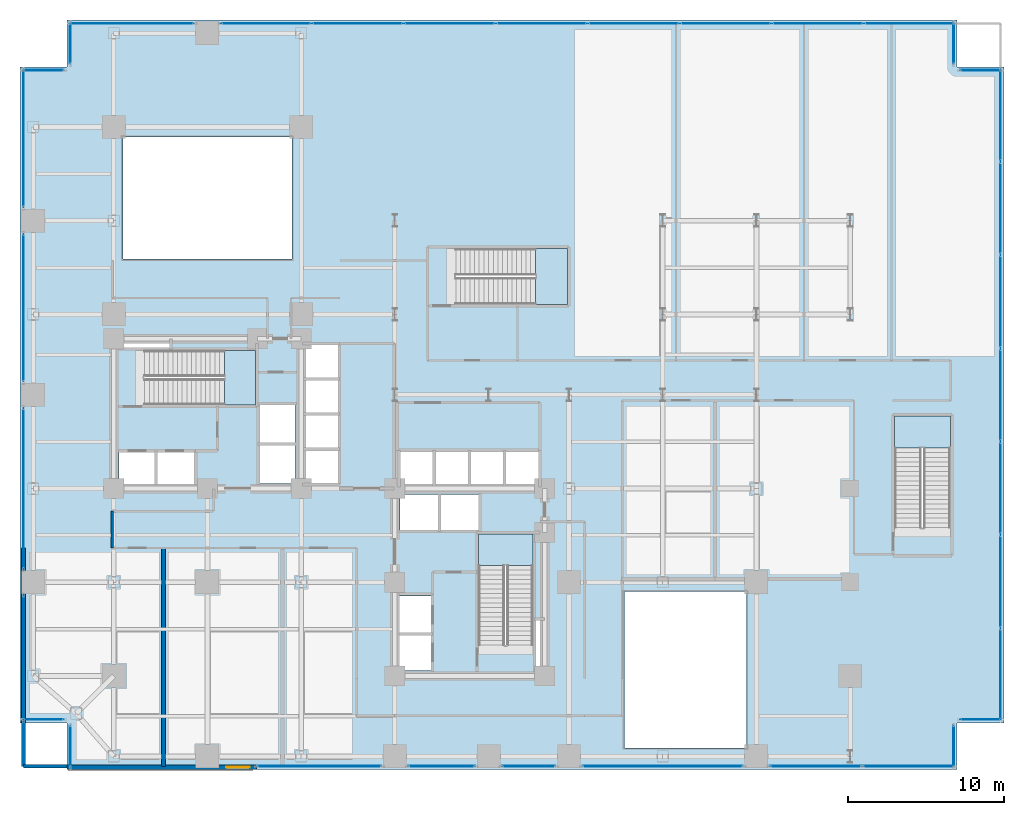
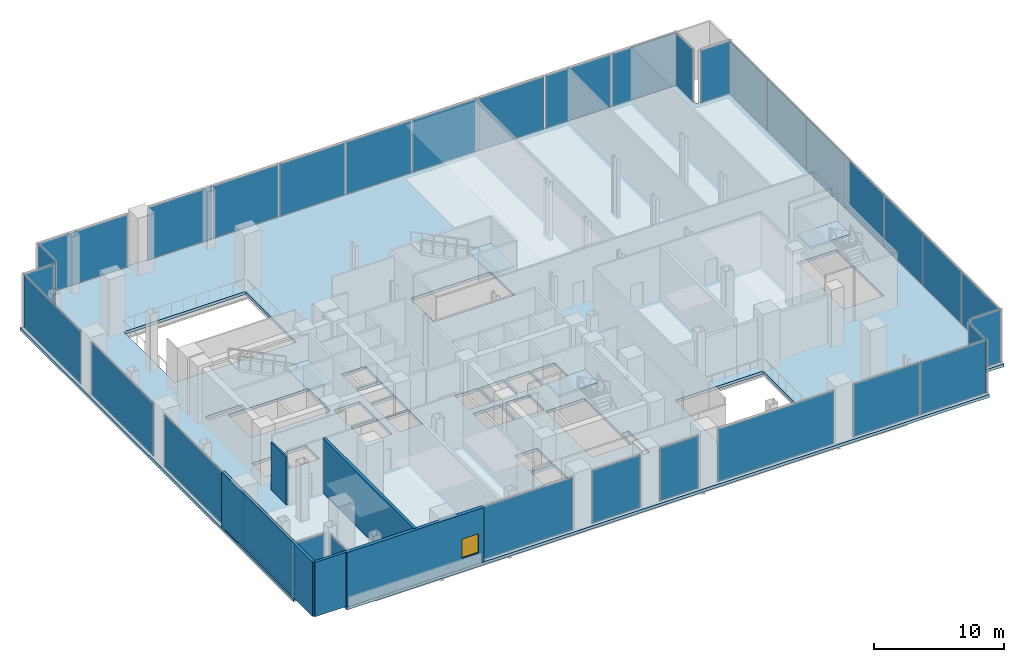
# One storey, part 20 of 28: 34 plates, 5 slabs, 5 walls, 1 window, 1 opening, 24 elements without a shape of their own.
"""IFC4 building model written with IfcOpenShell, lengths in metres."""

from ifc_helpers import new_model, si_unit, direction, frame, frame_2d, origin, origin_2d, place, context, subcontext, project, spatial, polyline, rectangle, outline, extrude, material, layer, layer_set, type_object, element, fill, aggregate, save


model = new_model("IFC4")

# Units and contexts
model_context = context("Model", 3, precision=1e-05, world=origin(), true_north=direction((0.0, 1.0)))
body_context = subcontext(model_context, "Body", "Model", "MODEL_VIEW")
ifc_project = project(units=[si_unit("LENGTHUNIT", "METRE"), si_unit("AREAUNIT", "SQUARE_METRE"), si_unit("VOLUMEUNIT", "CUBIC_METRE"), si_unit("PLANEANGLEUNIT", "RADIAN"), si_unit("MASSUNIT", "GRAM", prefix="KILO"), si_unit("THERMODYNAMICTEMPERATUREUNIT", "KELVIN"), si_unit("POWERUNIT", "WATT")], contexts=[model_context])

# Site, building, storey
site_placement = place(None, origin())
site = spatial("IfcSite", under=ifc_project, at=site_placement, CompositionType="ELEMENT")
building_placement = place(site_placement, origin())
building = spatial("IfcBuilding", under=site, at=building_placement, Name="Svarakhadi Broadcast Tower", CompositionType="ELEMENT")
storey_placement = place(building_placement, frame((0.0, 0.0, 11.10009765625)))
storey = spatial("IfcBuildingStorey", under=building, at=storey_placement, Name="L02", CompositionType="ELEMENT", Elevation=11.10009765625)

# Curtain wall, plate
ifc_material_1 = material(Name="Anodised Bronze Aluminium AA 6063-T6", Category="aluminium")
ifc_layer_1 = layer(ifc_material_1, 0.25)
ifc_layer_set_1 = layer_set([ifc_layer_1], Name="Anodised Bronze Aluminium AA 6063-T6")
curtain_wall_type = type_object("IfcCurtainWallType", Name="CW_Sys_01", PredefinedType="NOTDEFINED", material=ifc_layer_set_1)
curtain_wall_1_placement = place(storey_placement, origin())
curtain_wall_1 = element("IfcCurtainWall", 1, at=curtain_wall_1_placement, inside=storey, type_object=curtain_wall_type, Name="L02 Unitised Facade Curtain Wall 01", PredefinedType="NOTDEFINED")
ifc_material_2 = material(Name="Double Low-E Laminated Acoustic Glass IGU 36 mm", Category="glass")
ifc_layer_2 = layer(ifc_material_2, 0.0380859375)
ifc_layer_set_2 = layer_set([ifc_layer_2], Name="Double Low-E Laminated Acoustic Glass IGU 36 mm")
plate_type = type_object("IfcPlateType", Name="CW_Sys_01_Pnl", PredefinedType="CURTAIN_PANEL", material=ifc_layer_set_2)
plate_1_placement = place(storey_placement, frame((1.5, 3.219970703125, 0.0849609375), z_axis=(0.0, 0.0, 1.0), x_axis=(-1.0, 0.0, 0.0)))
plate_1 = element("IfcPlate", 2, at=plate_1_placement, type_object=plate_type, Name="CW-01 panel 1.1", PredefinedType="CURTAIN_PANEL", context=body_context, shape_type="SweptSolid", body=[
    extrude(rectangle(XDim=2.6298828125, YDim=0.0380859375, at=origin_2d()), origin(), (0.0, 0.0, 1.0), 4.929931640625),
])
aggregate(curtain_wall_1, [plate_1])

curtain_wall_2_placement = place(storey_placement, origin())
curtain_wall_2 = element("IfcCurtainWall", 3, at=curtain_wall_2_placement, inside=storey, type_object=curtain_wall_type, Name="L02 Unitised Facade Curtain Wall 02 Bay 1", PredefinedType="NOTDEFINED")
plate_2_placement = place(storey_placement, frame((0.219970703125, 7.159912109375, 0.0849609375), z_axis=(0.0, 0.0, 1.0), x_axis=(0.0, 1.0, 0.0)))
plate_2 = element("IfcPlate", 4, at=plate_2_placement, type_object=plate_type, Name="CW-01 panel 1.1", PredefinedType="CURTAIN_PANEL", context=body_context, shape_type="SweptSolid", body=[
    extrude(rectangle(XDim=7.949951171875, YDim=0.0380859375, at=origin_2d()), origin(), (0.0, 0.0, 1.0), 4.929931640625),
])
aggregate(curtain_wall_2, [plate_2])

curtain_wall_3_placement = place(storey_placement, origin())
curtain_wall_3 = element("IfcCurtainWall", 5, at=curtain_wall_3_placement, inside=storey, type_object=curtain_wall_type, Name="L02 Unitised Facade Curtain Wall 02 Bay 2", PredefinedType="NOTDEFINED")
plate_3_placement = place(storey_placement, frame((0.219970703125, 18.0, 0.0849609375), z_axis=(0.0, 0.0, 1.0), x_axis=(0.0, 1.0, 0.0)))
plate_3 = element("IfcPlate", 6, at=plate_3_placement, type_object=plate_type, Name="CW-01 panel 1.1", PredefinedType="CURTAIN_PANEL", context=body_context, shape_type="SweptSolid", body=[
    extrude(rectangle(XDim=10.27001953125, YDim=0.0380859375, at=origin_2d()), origin(), (0.0, 0.0, 1.0), 4.929931640625),
])
aggregate(curtain_wall_3, [plate_3])

curtain_wall_4_placement = place(storey_placement, origin())
curtain_wall_4 = element("IfcCurtainWall", 7, at=curtain_wall_4_placement, inside=storey, type_object=curtain_wall_type, Name="L02 Unitised Facade Curtain Wall 02 Bay 3", PredefinedType="NOTDEFINED")
plate_4_placement = place(storey_placement, frame((0.219970703125, 29.574951171875, 0.0849609375), z_axis=(0.0, 0.0, 1.0), x_axis=(0.0, 1.0, 0.0)))
plate_4 = element("IfcPlate", 8, at=plate_4_placement, type_object=plate_type, Name="CW-01 panel 1.1", PredefinedType="CURTAIN_PANEL", context=body_context, shape_type="SweptSolid", body=[
    extrude(rectangle(XDim=9.419921875, YDim=0.0380859375, at=origin_2d()), origin(), (0.0, 0.0, 1.0), 4.929931640625),
])
aggregate(curtain_wall_4, [plate_4])

curtain_wall_5_placement = place(storey_placement, origin())
curtain_wall_5 = element("IfcCurtainWall", 9, at=curtain_wall_5_placement, inside=storey, type_object=curtain_wall_type, Name="L02 Unitised Facade Curtain Wall 02 Bay 4", PredefinedType="NOTDEFINED")
plate_5_placement = place(storey_placement, frame((0.219970703125, 40.4150390625, 0.0849609375), z_axis=(0.0, 0.0, 1.0), x_axis=(0.0, 1.0, 0.0)))
plate_5 = element("IfcPlate", 10, at=plate_5_placement, type_object=plate_type, Name="CW-01 panel 1.1", PredefinedType="CURTAIN_PANEL", context=body_context, shape_type="SweptSolid", body=[
    extrude(rectangle(XDim=8.800048828125, YDim=0.0380859375, at=origin_2d()), origin(), (0.0, 0.0, 1.0), 4.929931640625),
])
aggregate(curtain_wall_5, [plate_5])

curtain_wall_6_placement = place(storey_placement, origin())
curtain_wall_6 = element("IfcCurtainWall", 11, at=curtain_wall_6_placement, inside=storey, type_object=curtain_wall_type, Name="L02 Unitised Facade Curtain Wall 03", PredefinedType="NOTDEFINED")
plate_6_placement = place(storey_placement, frame((1.5, 44.780029296875, 0.0849609375), z_axis=(0.0, 0.0, 1.0), x_axis=(1.0, 0.0, 0.0)))
plate_6 = element("IfcPlate", 12, at=plate_6_placement, type_object=plate_type, Name="CW-01 panel 1.1", PredefinedType="CURTAIN_PANEL", context=body_context, shape_type="SweptSolid", body=[
    extrude(rectangle(XDim=2.6298828125, YDim=0.0380859375, at=origin_2d()), origin(), (0.0, 0.0, 1.0), 4.929931640625),
])
aggregate(curtain_wall_6, [plate_6])

curtain_wall_7_placement = place(storey_placement, origin())
curtain_wall_7 = element("IfcCurtainWall", 13, at=curtain_wall_7_placement, inside=storey, type_object=curtain_wall_type, Name="L02 Unitised Facade Curtain Wall 04", PredefinedType="NOTDEFINED")
plate_7_placement = place(storey_placement, frame((3.219970703125, 46.5, 0.0849609375), z_axis=(0.0, 0.0, 1.0), x_axis=(0.0, 1.0, 0.0)))
plate_7 = element("IfcPlate", 14, at=plate_7_placement, type_object=plate_type, Name="CW-01 panel 1.1", PredefinedType="CURTAIN_PANEL", context=body_context, shape_type="SweptSolid", body=[
    extrude(rectangle(XDim=2.6298828125, YDim=0.0380859375, at=origin_2d()), origin(), (0.0, 0.0, 1.0), 4.929931640625),
])
aggregate(curtain_wall_7, [plate_7])

curtain_wall_8_placement = place(storey_placement, origin())
curtain_wall_8 = element("IfcCurtainWall", 15, at=curtain_wall_8_placement, inside=storey, type_object=curtain_wall_type, Name="L02 Unitised Facade Curtain Wall 05 Bay 1", PredefinedType="NOTDEFINED")
plate_8_placement = place(storey_placement, frame((7.159912109375, 47.780029296875, 0.0849609375), z_axis=(0.0, 0.0, 1.0), x_axis=(1.0, 0.0, 0.0)))
plate_8 = element("IfcPlate", 16, at=plate_8_placement, type_object=plate_type, Name="CW-01 panel 1.1", PredefinedType="CURTAIN_PANEL", context=body_context, shape_type="SweptSolid", body=[
    extrude(rectangle(XDim=7.949951171875, YDim=0.0380859375, at=origin_2d()), origin(), (0.0, 0.0, 1.0), 4.929931640625),
])
aggregate(curtain_wall_8, [plate_8])

# Curtain wall, plates
curtain_wall_9_placement = place(storey_placement, origin())
curtain_wall_9 = element("IfcCurtainWall", 17, at=curtain_wall_9_placement, inside=storey, type_object=curtain_wall_type, Name="L02 Unitised Facade Curtain Wall 05 Bay 2", PredefinedType="NOTDEFINED")
plate_9_placement = place(storey_placement, frame((15.739990234375, 47.780029296875, 0.0849609375), z_axis=(0.0, 0.0, 1.0), x_axis=(1.0, 0.0, 0.0)))
plate_9 = element("IfcPlate", 18, at=plate_9_placement, type_object=plate_type, Name="CW-01 panel 1.1", PredefinedType="CURTAIN_PANEL", context=body_context, shape_type="SweptSolid", body=[
    extrude(rectangle(XDim=5.75, YDim=0.0380859375, at=origin_2d()), origin(), (0.0, 0.0, 1.0), 4.929931640625),
])
plate_10_placement = place(storey_placement, frame((21.608642578125, 47.780029296875, 0.0849609375), z_axis=(0.0, 0.0, 1.0), x_axis=(1.0, 0.0, 0.0)))
plate_10 = element("IfcPlate", 19, at=plate_10_placement, type_object=plate_type, Name="CW-01 panel 2.1", PredefinedType="CURTAIN_PANEL", context=body_context, shape_type="SweptSolid", body=[
    extrude(rectangle(XDim=5.797607421875, YDim=0.0380859375, at=origin_2d()), origin(), (0.0, 0.0, 1.0), 4.929931640625),
])
plate_11_placement = place(storey_placement, frame((27.501220703125, 47.780029296875, 0.0849609375), z_axis=(0.0, 0.0, 1.0), x_axis=(1.0, 0.0, 0.0)))
plate_11 = element("IfcPlate", 20, at=plate_11_placement, type_object=plate_type, Name="CW-01 panel 3.1", PredefinedType="CURTAIN_PANEL", context=body_context, shape_type="SweptSolid", body=[
    extrude(rectangle(XDim=5.797607421875, YDim=0.0380859375, at=origin_2d()), origin(), (0.0, 0.0, 1.0), 4.929931640625),
])
plate_12_placement = place(storey_placement, frame((33.393798828125, 47.780029296875, 0.0849609375), z_axis=(0.0, 0.0, 1.0), x_axis=(1.0, 0.0, 0.0)))
plate_12 = element("IfcPlate", 21, at=plate_12_placement, type_object=plate_type, Name="CW-01 panel 4.1", PredefinedType="CURTAIN_PANEL", context=body_context, shape_type="SweptSolid", body=[
    extrude(rectangle(XDim=5.797607421875, YDim=0.0380859375, at=origin_2d()), origin(), (0.0, 0.0, 1.0), 4.929931640625),
])
plate_13_placement = place(storey_placement, frame((39.2861328125, 47.780029296875, 0.0849609375), z_axis=(0.0, 0.0, 1.0), x_axis=(1.0, 0.0, 0.0)))
plate_13 = element("IfcPlate", 22, at=plate_13_placement, type_object=plate_type, Name="CW-01 panel 5.1", PredefinedType="CURTAIN_PANEL", context=body_context, shape_type="SweptSolid", body=[
    extrude(rectangle(XDim=5.797607421875, YDim=0.0380859375, at=origin_2d()), origin(), (0.0, 0.0, 1.0), 4.929931640625),
])
plate_14_placement = place(storey_placement, frame((45.1787109375, 47.780029296875, 0.0849609375), z_axis=(0.0, 0.0, 1.0), x_axis=(1.0, 0.0, 0.0)))
plate_14 = element("IfcPlate", 23, at=plate_14_placement, type_object=plate_type, Name="CW-01 panel 6.1", PredefinedType="CURTAIN_PANEL", context=body_context, shape_type="SweptSolid", body=[
    extrude(rectangle(XDim=5.797607421875, YDim=0.0380859375, at=origin_2d()), origin(), (0.0, 0.0, 1.0), 4.929931640625),
])
plate_15_placement = place(storey_placement, frame((51.0712890625, 47.780029296875, 0.0849609375), z_axis=(0.0, 0.0, 1.0), x_axis=(1.0, 0.0, 0.0)))
plate_15 = element("IfcPlate", 24, at=plate_15_placement, type_object=plate_type, Name="CW-01 panel 7.1", PredefinedType="CURTAIN_PANEL", context=body_context, shape_type="SweptSolid", body=[
    extrude(rectangle(XDim=5.797607421875, YDim=0.0380859375, at=origin_2d()), origin(), (0.0, 0.0, 1.0), 4.929931640625),
])
plate_16_placement = place(storey_placement, frame((56.93994140625, 47.780029296875, 0.0849609375), z_axis=(0.0, 0.0, 1.0), x_axis=(1.0, 0.0, 0.0)))
plate_16 = element("IfcPlate", 25, at=plate_16_placement, type_object=plate_type, Name="CW-01 panel 8.1", PredefinedType="CURTAIN_PANEL", context=body_context, shape_type="SweptSolid", body=[
    extrude(rectangle(XDim=5.75, YDim=0.0380859375, at=origin_2d()), origin(), (0.0, 0.0, 1.0), 4.929931640625),
])
aggregate(curtain_wall_9, [plate_9, plate_10, plate_11, plate_12, plate_13, plate_14, plate_15, plate_16])

# Curtain wall, plate
curtain_wall_10_placement = place(storey_placement, origin())
curtain_wall_10 = element("IfcCurtainWall", 26, at=curtain_wall_10_placement, inside=storey, type_object=curtain_wall_type, Name="L02 Unitised Facade Curtain Wall 06", PredefinedType="NOTDEFINED")
plate_17_placement = place(storey_placement, frame((59.780029296875, 46.5, 0.0849609375), z_axis=(0.0, 0.0, 1.0), x_axis=(0.0, -1.0, 0.0)))
plate_17 = element("IfcPlate", 27, at=plate_17_placement, type_object=plate_type, Name="CW-01 panel 1.1", PredefinedType="CURTAIN_PANEL", context=body_context, shape_type="SweptSolid", body=[
    extrude(rectangle(XDim=2.6298828125, YDim=0.0380859375, at=origin_2d()), origin(), (0.0, 0.0, 1.0), 4.929931640625),
])
aggregate(curtain_wall_10, [plate_17])

curtain_wall_11_placement = place(storey_placement, origin())
curtain_wall_11 = element("IfcCurtainWall", 28, at=curtain_wall_11_placement, inside=storey, type_object=curtain_wall_type, Name="L02 Unitised Facade Curtain Wall 07", PredefinedType="NOTDEFINED")
plate_18_placement = place(storey_placement, frame((61.5, 44.780029296875, 0.0849609375), z_axis=(0.0, 0.0, 1.0), x_axis=(1.0, 0.0, 0.0)))
plate_18 = element("IfcPlate", 29, at=plate_18_placement, type_object=plate_type, Name="CW-01 panel 1.1", PredefinedType="CURTAIN_PANEL", context=body_context, shape_type="SweptSolid", body=[
    extrude(rectangle(XDim=2.6298828125, YDim=0.0380859375, at=origin_2d()), origin(), (0.0, 0.0, 1.0), 4.929931640625),
])
aggregate(curtain_wall_11, [plate_18])

# Curtain wall, plates
curtain_wall_12_placement = place(storey_placement, origin())
curtain_wall_12 = element("IfcCurtainWall", 30, at=curtain_wall_12_placement, inside=storey, type_object=curtain_wall_type, Name="L02 Unitised Facade Curtain Wall 08", PredefinedType="NOTDEFINED")
plate_19_placement = place(storey_placement, frame((62.780029296875, 41.899169921875, 0.0849609375), z_axis=(0.0, 0.0, 1.0), x_axis=(0.0, -1.0, 0.0)))
plate_19 = element("IfcPlate", 31, at=plate_19_placement, type_object=plate_type, Name="CW-01 panel 1.1", PredefinedType="CURTAIN_PANEL", context=body_context, shape_type="SweptSolid", body=[
    extrude(rectangle(XDim=5.831787109375, YDim=0.0380859375, at=origin_2d()), origin(), (0.0, 0.0, 1.0), 4.929931640625),
])
plate_20_placement = place(storey_placement, frame((62.780029296875, 35.948486328125, 0.0849609375), z_axis=(0.0, 0.0, 1.0), x_axis=(0.0, -1.0, 0.0)))
plate_20 = element("IfcPlate", 32, at=plate_20_placement, type_object=plate_type, Name="CW-01 panel 2.1", PredefinedType="CURTAIN_PANEL", context=body_context, shape_type="SweptSolid", body=[
    extrude(rectangle(XDim=5.87939453125, YDim=0.0380859375, at=origin_2d()), origin(), (0.0, 0.0, 1.0), 4.929931640625),
])
plate_21_placement = place(storey_placement, frame((62.780029296875, 29.974365234375, 0.0849609375), z_axis=(0.0, 0.0, 1.0), x_axis=(0.0, -1.0, 0.0)))
plate_21 = element("IfcPlate", 33, at=plate_21_placement, type_object=plate_type, Name="CW-01 panel 3.1", PredefinedType="CURTAIN_PANEL", context=body_context, shape_type="SweptSolid", body=[
    extrude(rectangle(XDim=5.87939453125, YDim=0.0380859375, at=origin_2d()), origin(), (0.0, 0.0, 1.0), 4.929931640625),
])
plate_22_placement = place(storey_placement, frame((62.780029296875, 24.0, 0.0849609375), z_axis=(0.0, 0.0, 1.0), x_axis=(0.0, -1.0, 0.0)))
plate_22 = element("IfcPlate", 34, at=plate_22_placement, type_object=plate_type, Name="CW-01 panel 4.1", PredefinedType="CURTAIN_PANEL", context=body_context, shape_type="SweptSolid", body=[
    extrude(rectangle(XDim=5.87939453125, YDim=0.0380859375, at=origin_2d()), origin(), (0.0, 0.0, 1.0), 4.929931640625),
])
plate_23_placement = place(storey_placement, frame((62.780029296875, 18.025634765625, 0.0849609375), z_axis=(0.0, 0.0, 1.0), x_axis=(0.0, -1.0, 0.0)))
plate_23 = element("IfcPlate", 35, at=plate_23_placement, type_object=plate_type, Name="CW-01 panel 5.1", PredefinedType="CURTAIN_PANEL", context=body_context, shape_type="SweptSolid", body=[
    extrude(rectangle(XDim=5.87939453125, YDim=0.0380859375, at=origin_2d()), origin(), (0.0, 0.0, 1.0), 4.929931640625),
])
plate_24_placement = place(storey_placement, frame((62.780029296875, 12.051513671875, 0.0849609375), z_axis=(0.0, 0.0, 1.0), x_axis=(0.0, -1.0, 0.0)))
plate_24 = element("IfcPlate", 36, at=plate_24_placement, type_object=plate_type, Name="CW-01 panel 6.1", PredefinedType="CURTAIN_PANEL", context=body_context, shape_type="SweptSolid", body=[
    extrude(rectangle(XDim=5.87939453125, YDim=0.0380859375, at=origin_2d()), origin(), (0.0, 0.0, 1.0), 4.929931640625),
])
plate_25_placement = place(storey_placement, frame((62.780029296875, 6.100830078125, 0.0849609375), z_axis=(0.0, 0.0, 1.0), x_axis=(0.0, -1.0, 0.0)))
plate_25 = element("IfcPlate", 37, at=plate_25_placement, type_object=plate_type, Name="CW-01 panel 7.1", PredefinedType="CURTAIN_PANEL", context=body_context, shape_type="SweptSolid", body=[
    extrude(rectangle(XDim=5.831787109375, YDim=0.0380859375, at=origin_2d()), origin(), (0.0, 0.0, 1.0), 4.929931640625),
])
aggregate(curtain_wall_12, [plate_19, plate_20, plate_21, plate_22, plate_23, plate_24, plate_25])

# Curtain wall, plate
curtain_wall_13_placement = place(storey_placement, origin())
curtain_wall_13 = element("IfcCurtainWall", 38, at=curtain_wall_13_placement, inside=storey, type_object=curtain_wall_type, Name="L02 Unitised Facade Curtain Wall 09", PredefinedType="NOTDEFINED")
plate_26_placement = place(storey_placement, frame((61.5, 3.219970703125, 0.0849609375), z_axis=(0.0, 0.0, 1.0), x_axis=(-1.0, 0.0, 0.0)))
plate_26 = element("IfcPlate", 39, at=plate_26_placement, type_object=plate_type, Name="CW-01 panel 1.1", PredefinedType="CURTAIN_PANEL", context=body_context, shape_type="SweptSolid", body=[
    extrude(rectangle(XDim=2.6298828125, YDim=0.0380859375, at=origin_2d()), origin(), (0.0, 0.0, 1.0), 4.929931640625),
])
aggregate(curtain_wall_13, [plate_26])

curtain_wall_14_placement = place(storey_placement, origin())
curtain_wall_14 = element("IfcCurtainWall", 40, at=curtain_wall_14_placement, inside=storey, type_object=curtain_wall_type, Name="L02 Unitised Facade Curtain Wall 10", PredefinedType="NOTDEFINED")
plate_27_placement = place(storey_placement, frame((59.780029296875, 1.5, 0.0849609375), z_axis=(0.0, 0.0, 1.0), x_axis=(0.0, -1.0, 0.0)))
plate_27 = element("IfcPlate", 41, at=plate_27_placement, type_object=plate_type, Name="CW-01 panel 1.1", PredefinedType="CURTAIN_PANEL", context=body_context, shape_type="SweptSolid", body=[
    extrude(rectangle(XDim=2.6298828125, YDim=0.0380859375, at=origin_2d()), origin(), (0.0, 0.0, 1.0), 4.929931640625),
])
aggregate(curtain_wall_14, [plate_27])

# Curtain wall, plates
curtain_wall_15_placement = place(storey_placement, origin())
curtain_wall_15 = element("IfcCurtainWall", 42, at=curtain_wall_15_placement, inside=storey, type_object=curtain_wall_type, Name="L02 South Curtain Wall 11 Bay 1", PredefinedType="NOTDEFINED")
plate_28_placement = place(storey_placement, frame((56.888671875, 0.219970703125, 0.0849609375), z_axis=(0.0, 0.0, 1.0), x_axis=(-1.0, 0.0, 0.0)))
plate_28 = element("IfcPlate", 43, at=plate_28_placement, type_object=plate_type, Name="CW-01 panel 1.1", PredefinedType="CURTAIN_PANEL", context=body_context, shape_type="SweptSolid", body=[
    extrude(rectangle(XDim=5.8525390625, YDim=0.0380859375, at=origin_2d()), origin(), (0.0, 0.0, 1.0), 4.929931640625),
])
plate_29_placement = place(storey_placement, frame((50.941162109375, 0.219970703125, 0.0849609375), z_axis=(0.0, 0.0, 1.0), x_axis=(-1.0, 0.0, 0.0)))
plate_29 = element("IfcPlate", 44, at=plate_29_placement, type_object=plate_type, Name="CW-01 panel 2.1", PredefinedType="CURTAIN_PANEL", context=body_context, shape_type="SweptSolid", body=[
    extrude(rectangle(XDim=5.8525390625, YDim=0.0380859375, at=origin_2d()), origin(), (0.0, 0.0, 1.0), 4.929931640625),
])
aggregate(curtain_wall_15, [plate_28, plate_29])

# Curtain wall, plate
curtain_wall_16_placement = place(storey_placement, origin())
curtain_wall_16 = element("IfcCurtainWall", 45, at=curtain_wall_16_placement, inside=storey, type_object=curtain_wall_type, Name="L02 South Curtain Wall 11 Bay 2", PredefinedType="NOTDEFINED")
plate_30_placement = place(storey_placement, frame((41.14990234375, 0.219970703125, 0.0849609375), z_axis=(0.0, 0.0, 1.0), x_axis=(-1.0, 0.0, 0.0)))
plate_30 = element("IfcPlate", 46, at=plate_30_placement, type_object=plate_type, Name="CW-01 panel 1.1", PredefinedType="CURTAIN_PANEL", context=body_context, shape_type="SweptSolid", body=[
    extrude(rectangle(XDim=10.27001953125, YDim=0.0380859375, at=origin_2d()), origin(), (0.0, 0.0, 1.0), 4.929931640625),
])
aggregate(curtain_wall_16, [plate_30])

curtain_wall_17_placement = place(storey_placement, origin())
curtain_wall_17 = element("IfcCurtainWall", 47, at=curtain_wall_17_placement, inside=storey, type_object=curtain_wall_type, Name="L02 South Curtain Wall 11 Bay 3", PredefinedType="NOTDEFINED")
plate_31_placement = place(storey_placement, frame((32.574951171875, 0.219970703125, 0.0849609375), z_axis=(0.0, 0.0, 1.0), x_axis=(-1.0, 0.0, 0.0)))
plate_31 = element("IfcPlate", 48, at=plate_31_placement, type_object=plate_type, Name="CW-01 panel 1.1", PredefinedType="CURTAIN_PANEL", context=body_context, shape_type="SweptSolid", body=[
    extrude(rectangle(XDim=3.419921875, YDim=0.0380859375, at=origin_2d()), origin(), (0.0, 0.0, 1.0), 4.929931640625),
])
aggregate(curtain_wall_17, [plate_31])

curtain_wall_18_placement = place(storey_placement, origin())
curtain_wall_18 = element("IfcCurtainWall", 49, at=curtain_wall_18_placement, inside=storey, type_object=curtain_wall_type, Name="L02 South Curtain Wall 11 Bay 4", PredefinedType="NOTDEFINED")
plate_32_placement = place(storey_placement, frame((27.0, 0.219970703125, 0.0849609375), z_axis=(0.0, 0.0, 1.0), x_axis=(-1.0, 0.0, 0.0)))
plate_32 = element("IfcPlate", 50, at=plate_32_placement, type_object=plate_type, Name="CW-01 panel 1.1", PredefinedType="CURTAIN_PANEL", context=body_context, shape_type="SweptSolid", body=[
    extrude(rectangle(XDim=4.27001953125, YDim=0.0380859375, at=origin_2d()), origin(), (0.0, 0.0, 1.0), 4.929931640625),
])
aggregate(curtain_wall_18, [plate_32])

curtain_wall_19_placement = place(storey_placement, origin())
curtain_wall_19 = element("IfcCurtainWall", 51, at=curtain_wall_19_placement, inside=storey, type_object=curtain_wall_type, Name="L02 South Curtain Wall 11 Bay 5", PredefinedType="NOTDEFINED")
plate_33_placement = place(storey_placement, frame((19.159912109375, 0.219970703125, 0.0849609375), z_axis=(0.0, 0.0, 1.0), x_axis=(-1.0, 0.0, 0.0)))
plate_33 = element("IfcPlate", 52, at=plate_33_placement, type_object=plate_type, Name="CW-01 panel 1.1", PredefinedType="CURTAIN_PANEL", context=body_context, shape_type="SweptSolid", body=[
    extrude(rectangle(XDim=7.949951171875, YDim=0.0380859375, at=origin_2d()), origin(), (0.0, 0.0, 1.0), 4.929931640625),
])
aggregate(curtain_wall_19, [plate_33])

curtain_wall_20_placement = place(storey_placement, origin())
curtain_wall_20 = element("IfcCurtainWall", 53, at=curtain_wall_20_placement, inside=storey, type_object=curtain_wall_type, Name="L02 Unitised Facade Curtain Wall 12", PredefinedType="NOTDEFINED")
plate_34_placement = place(storey_placement, frame((3.219970703125, 1.5, 0.0849609375), z_axis=(0.0, 0.0, 1.0), x_axis=(0.0, 1.0, 0.0)))
plate_34 = element("IfcPlate", 54, at=plate_34_placement, type_object=plate_type, Name="CW-01 panel 1.1", PredefinedType="CURTAIN_PANEL", context=body_context, shape_type="SweptSolid", body=[
    extrude(rectangle(XDim=2.6298828125, YDim=0.0380859375, at=origin_2d()), origin(), (0.0, 0.0, 1.0), 4.929931640625),
])
aggregate(curtain_wall_20, [plate_34])

# Slab
ifc_material_3 = material(Name="Concrete C40/50 (IS 456 M50)", Category="concrete")
ifc_layer_3 = layer(ifc_material_3, 0.27490234375)
ifc_layer_set_3 = layer_set([ifc_layer_3], Name="Concrete C40/50 (IS 456 M50)")
slab_type_1 = type_object("IfcSlabType", Name="Slab_Floor_275", PredefinedType="FLOOR", material=ifc_layer_set_3)
slab_1_placement = place(storey_placement, frame((0.0, 0.0, -0.275146484375)))
element("IfcSlab", 55, at=slab_1_placement, inside=storey, type_object=slab_type_1, Name="L02 Structural Floor Slab", PredefinedType="FLOOR", context=body_context, shape_type="SweptSolid", body=[
    extrude(outline(polyline([(3.0, 0.0), (60.0, 0.0), (60.0, 3.0), (63.0, 3.0), (63.0, 45.0), (60.0, 45.0), (60.0, 48.0), (3.0, 48.0), (3.0, 45.0), (0.0, 45.0), (0.0, 3.0), (3.0, 3.0), (3.0, 0.0)]), holes=[polyline([(7.97998046875, 23.360107421875), (15.080078125, 23.360107421875), (15.080078125, 26.840087890625), (7.97998046875, 26.840087890625), (7.97998046875, 23.360107421875)]), polyline([(32.840087890625, 7.97998046875), (32.840087890625, 15.080078125), (29.360107421875, 15.080078125), (29.360107421875, 7.97998046875), (32.840087890625, 7.97998046875)]), polyline([(27.89990234375, 29.800048828125), (35.050048828125, 29.800048828125), (35.050048828125, 33.360107421875), (27.89990234375, 33.360107421875), (27.89990234375, 29.800048828125)]), polyline([(59.56005859375, 15.5), (59.56005859375, 22.64990234375), (56.0, 22.64990234375), (56.0, 15.5), (59.56005859375, 15.5)]), polyline([(6.340087890625, 18.2900390625), (8.610107421875, 18.2900390625), (8.610107421875, 20.330078125), (6.340087890625, 20.330078125), (6.340087890625, 18.2900390625)]), polyline([(8.7900390625, 18.2900390625), (11.1298828125, 18.2900390625), (11.1298828125, 20.330078125), (8.7900390625, 20.330078125), (8.7900390625, 18.2900390625)]), polyline([(24.2900390625, 6.340087890625), (26.330078125, 6.340087890625), (26.330078125, 8.610107421875), (24.2900390625, 8.610107421875), (24.2900390625, 6.340087890625)]), polyline([(24.2900390625, 8.7900390625), (26.330078125, 8.7900390625), (26.330078125, 11.1298828125), (24.2900390625, 11.1298828125), (24.2900390625, 8.7900390625)]), polyline([(6.340087890625, 26.989990234375), (9.610107421875, 26.989990234375), (9.610107421875, 27.530029296875), (6.340087890625, 27.530029296875), (6.340087890625, 26.989990234375)]), polyline([(32.989990234375, 6.340087890625), (33.530029296875, 6.340087890625), (33.530029296875, 9.610107421875), (32.989990234375, 9.610107421875), (32.989990234375, 6.340087890625)]), polyline([(15.340087890625, 18.340087890625), (17.610107421875, 18.340087890625), (17.610107421875, 20.760009765625), (15.340087890625, 20.760009765625), (15.340087890625, 18.340087890625)]), polyline([(15.340087890625, 20.93994140625), (17.610107421875, 20.93994140625), (17.610107421875, 23.360107421875), (15.340087890625, 23.360107421875), (15.340087890625, 20.93994140625)]), polyline([(24.340087890625, 15.340087890625), (26.760009765625, 15.340087890625), (26.760009765625, 17.610107421875), (24.340087890625, 17.610107421875), (24.340087890625, 15.340087890625)]), polyline([(26.93994140625, 15.340087890625), (29.360107421875, 15.340087890625), (29.360107421875, 17.610107421875), (26.93994140625, 17.610107421875), (26.93994140625, 15.340087890625)]), polyline([(18.239990234375, 18.340087890625), (20.360107421875, 18.340087890625), (20.360107421875, 20.429931640625), (18.239990234375, 20.429931640625), (18.239990234375, 18.340087890625)]), polyline([(18.239990234375, 20.610107421875), (20.360107421875, 20.610107421875), (20.360107421875, 22.679931640625), (18.239990234375, 22.679931640625), (18.239990234375, 20.610107421875)]), polyline([(18.239990234375, 22.860107421875), (20.360107421875, 22.860107421875), (20.360107421875, 24.929931640625), (18.239990234375, 24.929931640625), (18.239990234375, 22.860107421875)]), polyline([(18.239990234375, 25.110107421875), (20.360107421875, 25.110107421875), (20.360107421875, 27.2099609375), (18.239990234375, 27.2099609375), (18.239990234375, 25.110107421875)]), polyline([(24.340087890625, 18.239990234375), (26.429931640625, 18.239990234375), (26.429931640625, 20.360107421875), (24.340087890625, 20.360107421875), (24.340087890625, 18.239990234375)]), polyline([(26.610107421875, 18.239990234375), (28.679931640625, 18.239990234375), (28.679931640625, 20.360107421875), (26.610107421875, 20.360107421875), (26.610107421875, 18.239990234375)]), polyline([(28.860107421875, 18.239990234375), (30.929931640625, 18.239990234375), (30.929931640625, 20.360107421875), (28.860107421875, 20.360107421875), (28.860107421875, 18.239990234375)]), polyline([(31.110107421875, 18.239990234375), (33.2099609375, 18.239990234375), (33.2099609375, 20.360107421875), (31.110107421875, 20.360107421875), (31.110107421875, 18.239990234375)]), polyline([(38.699951171875, 1.39990234375), (46.5, 1.39990234375), (46.5, 11.39990234375), (38.699951171875, 11.39990234375), (38.699951171875, 1.39990234375)]), polyline([(6.60009765625, 32.699951171875), (17.39990234375, 32.699951171875), (17.39990234375, 40.5), (6.60009765625, 40.5), (6.60009765625, 32.699951171875)])]), origin(), (0.0, 0.0, 1.0), 0.275146484375),
])

# Stair, slab
stair_type_1 = type_object("IfcStairType", Name="Stair_Exit_Core", PredefinedType="HALF_TURN_STAIR", material=ifc_material_3)
stair_1_placement = place(storey_placement, origin())
stair_1 = element("IfcStair", 56, at=stair_1_placement, inside=storey, type_object=stair_type_1, Name="L02 West Core Protected Exit Stair ST-01", PredefinedType="HALF_TURN_STAIR")
ifc_layer_4 = layer(ifc_material_3, 0.199951171875)
ifc_layer_set_4 = layer_set([ifc_layer_4], Name="Concrete C40/50 (IS 456 M50)")
slab_type_2 = type_object("IfcSlabType", Name="Slab_Stair_Land", PredefinedType="LANDING", material=ifc_layer_set_4)
slab_2_placement = place(storey_placement, frame((0.0, 0.0, 2.5)))
slab_2 = element("IfcSlab", 57, at=slab_2_placement, type_object=slab_type_2, Name="ST-01 landing 1", PredefinedType="LANDING", context=body_context, shape_type="SweptSolid", body=[
    extrude(outline(polyline([(13.080078125, 23.360107421875), (15.080078125, 23.360107421875), (15.080078125, 26.840087890625), (13.080078125, 26.840087890625), (13.080078125, 23.360107421875)])), origin(), (0.0, 0.0, 1.0), 0.199951171875),
])
aggregate(stair_1, [slab_2])

stair_2_placement = place(storey_placement, origin())
stair_2 = element("IfcStair", 58, at=stair_2_placement, inside=storey, type_object=stair_type_1, Name="L02 East Core Protected Exit Stair ST-02", PredefinedType="HALF_TURN_STAIR")
slab_3_placement = place(storey_placement, frame((0.0, 0.0, 2.5)))
slab_3 = element("IfcSlab", 59, at=slab_3_placement, type_object=slab_type_2, Name="ST-02 landing 1", PredefinedType="LANDING", context=body_context, shape_type="SweptSolid", body=[
    extrude(outline(polyline([(32.840087890625, 13.080078125), (32.840087890625, 15.080078125), (29.360107421875, 15.080078125), (29.360107421875, 13.080078125), (32.840087890625, 13.080078125)])), origin(), (0.0, 0.0, 1.0), 0.199951171875),
])
aggregate(stair_2, [slab_3])

stair_type_2 = type_object("IfcStairType", Name="Stair_Exit_Pod", PredefinedType="HALF_TURN_STAIR", material=ifc_material_3)
stair_3_placement = place(storey_placement, origin())
stair_3 = element("IfcStair", 60, at=stair_3_placement, inside=storey, type_object=stair_type_2, Name="L02 Podium Concourse Broadcast Exit Stair ST-03", PredefinedType="HALF_TURN_STAIR")
slab_4_placement = place(storey_placement, frame((0.0, 0.0, 2.5)))
slab_4 = element("IfcSlab", 61, at=slab_4_placement, type_object=slab_type_2, Name="ST-03 landing 1", PredefinedType="LANDING", context=body_context, shape_type="SweptSolid", body=[
    extrude(outline(polyline([(33.0, 29.800048828125), (35.050048828125, 29.800048828125), (35.050048828125, 33.360107421875), (33.0, 33.360107421875), (33.0, 29.800048828125)])), origin(), (0.0, 0.0, 1.0), 0.199951171875),
])
aggregate(stair_3, [slab_4])

stair_4_placement = place(storey_placement, origin())
stair_4 = element("IfcStair", 62, at=stair_4_placement, inside=storey, type_object=stair_type_2, Name="L02 Podium East Broadcast Exit Stair ST-04", PredefinedType="HALF_TURN_STAIR")
slab_5_placement = place(storey_placement, frame((0.0, 0.0, 2.5)))
slab_5 = element("IfcSlab", 63, at=slab_5_placement, type_object=slab_type_2, Name="ST-04 landing 1", PredefinedType="LANDING", context=body_context, shape_type="SweptSolid", body=[
    extrude(outline(polyline([(59.56005859375, 20.60009765625), (59.56005859375, 22.64990234375), (56.0, 22.64990234375), (56.0, 20.60009765625), (59.56005859375, 20.60009765625)])), origin(), (0.0, 0.0, 1.0), 0.199951171875),
])
aggregate(stair_4, [slab_5])

# Walls
ifc_material_4 = material(Name="Double-Stud Acoustic Studio Partition STC-62", Category="gypsum")
ifc_layer_5 = layer(ifc_material_4, 0.25)
ifc_layer_set_5 = layer_set([ifc_layer_5], Name="Double-Stud Acoustic Studio Partition STC-62")
wall_type_1 = type_object("IfcWallType", Name="Wall_Acoust_250", PredefinedType="PARTITIONING", material=ifc_layer_set_5)
wall_1_placement = place(storey_placement, frame((0.219970703125, 0.219970703125, 0.0), z_axis=(0.0, 0.0, 1.0), x_axis=(1.0, 0.0, 0.0)))
element("IfcWall", 64, at=wall_1_placement, inside=storey, type_object=wall_type_1, Name="L02 L02 Master Control Broadcast Room Wall", PredefinedType="PARTITIONING", context=body_context, shape_type="SweptSolid", body=[
    extrude(rectangle(XDim=2.780029296875, YDim=0.25, at=frame_2d((1.39013671875, 0.0))), origin(), (0.0, 0.0, 1.0), 5.099853515625),
])
for number, where, z_axis, x_axis, name in (
    (65, (0.219970703125, 0.219970703125, 0.0), (0.0, 0.0, 1.0), (0.0, 1.0, 0.0), "L02 L02 Master Control Broadcast Room Wall"),
    (66, (9.199951171875, 0.219970703125, 0.0), (0.0, 0.0, 1.0), (0.0, 1.0, 0.0), "L02 L02 Master Control Broadcast Room Wall"),
):
    element("IfcWall", number, at=place(storey_placement, frame(where, z_axis=z_axis, x_axis=x_axis)), inside=storey, type_object=wall_type_1, Name=name, PredefinedType="PARTITIONING", context=body_context, shape_type="SweptSolid", body=[
        extrude(rectangle(XDim=13.97998046875, YDim=0.25, at=frame_2d((6.989990234375, 0.0))), origin(), (0.0, 0.0, 1.0), 5.099853515625),
    ])

# Wall, opening, window
ifc_layer_6 = layer(ifc_material_3, 0.300048828125)
ifc_layer_set_6 = layer_set([ifc_layer_6], Name="Concrete C40/50 (IS 456 M50)")
wall_type_2 = type_object("IfcWallType", Name="Wall_Ext_300", PredefinedType="SOLIDWALL", material=ifc_layer_set_6)
wall_2_placement = place(storey_placement, frame((15.14501953125, 0.14990234375, 0.0), z_axis=(0.0, 0.0, 1.0), x_axis=(-1.0, 0.0, 0.0)))
wall_2 = element("IfcWall", 67, at=wall_2_placement, inside=storey, type_object=wall_type_2, Name="L02 Broadcast Studio Acoustic Exterior Wall", PredefinedType="SOLIDWALL", context=body_context, shape_type="SweptSolid", body=[
    extrude(rectangle(XDim=12.14501953125, YDim=0.300048828125, at=frame_2d((6.072509765625, 0.0))), origin(), (0.0, 0.0, 1.0), 5.099853515625),
])
opening_placement = place(wall_2_placement, frame((0.449951171875, 0.0, 1.0)))
opening = element("IfcOpeningElement", 68, at=opening_placement, cuts=wall_2, Name="Opening WN-03", PredefinedType="OPENING", context=body_context, shape_type="SweptSolid", body=[
    extrude(rectangle(XDim=1.5, YDim=1.800048828125, at=frame_2d((0.75, 0.89990234375))), frame((0.0, 0.159912109375, 0.0), z_axis=(0.0, -1.0, 0.0), x_axis=(1.0, 0.0, 0.0)), (0.0, 0.0, 1.0), 0.320068359375),
])
window_type = type_object("IfcWindowType", Name="Win_Awning_WN03", PartitioningType="SINGLE_PANEL", PredefinedType="WINDOW", material=ifc_material_2)
window_placement = place(opening_placement, origin())
window = element("IfcWindow", 69, at=window_placement, inside=storey, type_object=window_type, Name="L02 Broadcast Podium Acoustic Window 1", OverallHeight=1.800048828125, OverallWidth=1.5, PartitioningType="SINGLE_PANEL", PredefinedType="WINDOW", context=body_context, shape_type="SweptSolid", body=[
    extrude(rectangle(XDim=1.5, YDim=1.800048828125, at=frame_2d((0.75, 0.89990234375))), frame((0.0, 0.030029296875, 0.0), z_axis=(0.0, -1.0, 0.0), x_axis=(1.0, 0.0, 0.0)), (0.0, 0.0, 1.0), 0.06005859375),
])
fill(opening, window)

# Wall
ifc_material_5 = material(Name="Autoclaved Aerated Concrete Blockwork 150 mm", Category="masonry")
ifc_layer_7 = layer(ifc_material_5, 0.14990234375)
ifc_layer_set_7 = layer_set([ifc_layer_7], Name="Autoclaved Aerated Concrete Blockwork 150 mm")
wall_type_3 = type_object("IfcWallType", Name="Wall_Part_150", PredefinedType="PARTITIONING", material=ifc_layer_set_7)
wall_3_placement = place(storey_placement, frame((5.89990234375, 14.199951171875, 0.0), z_axis=(0.0, 0.0, 1.0), x_axis=(0.0, 1.0, 0.0)))
element("IfcWall", 70, at=wall_3_placement, inside=storey, type_object=wall_type_3, Name="L02 Podium Gallery Wall", PredefinedType="PARTITIONING", context=body_context, shape_type="SweptSolid", body=[
    extrude(rectangle(XDim=2.35009765625, YDim=0.14990234375, at=frame_2d((1.175048828125, 0.0))), origin(), (0.0, 0.0, 1.0), 4.44189453125),
])

save(model, "model.ifc")
